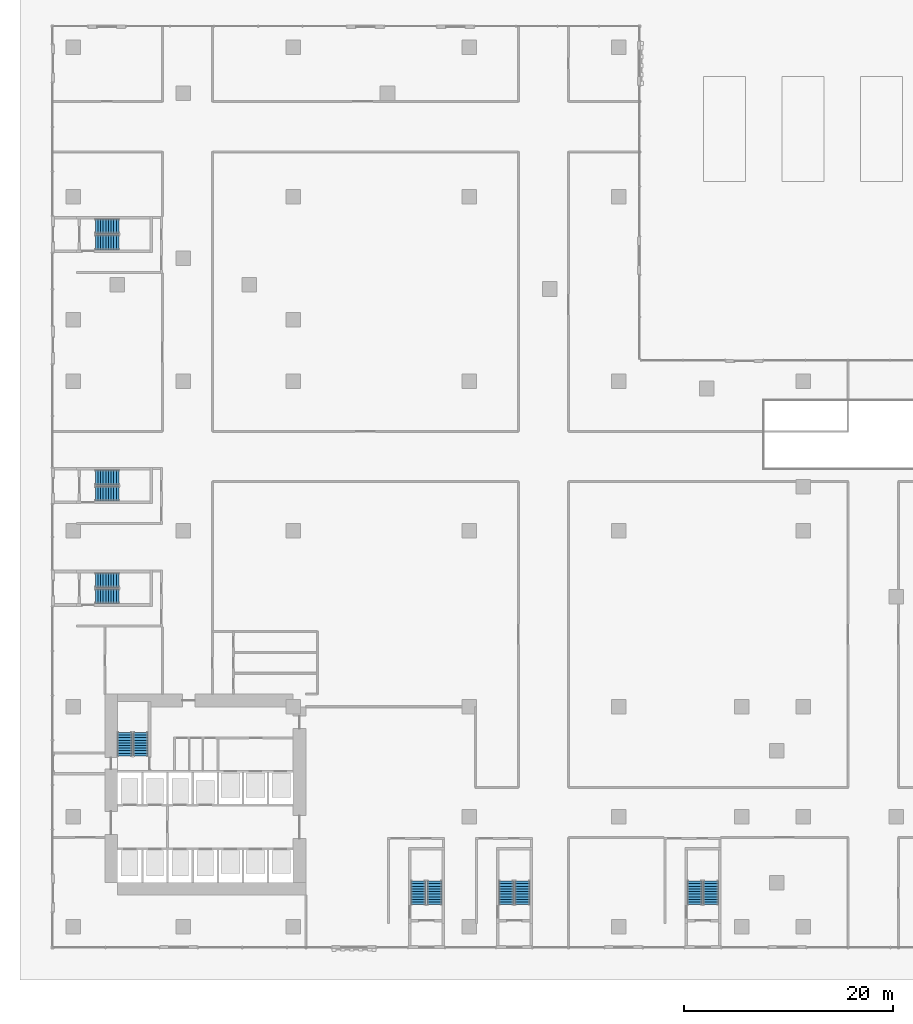
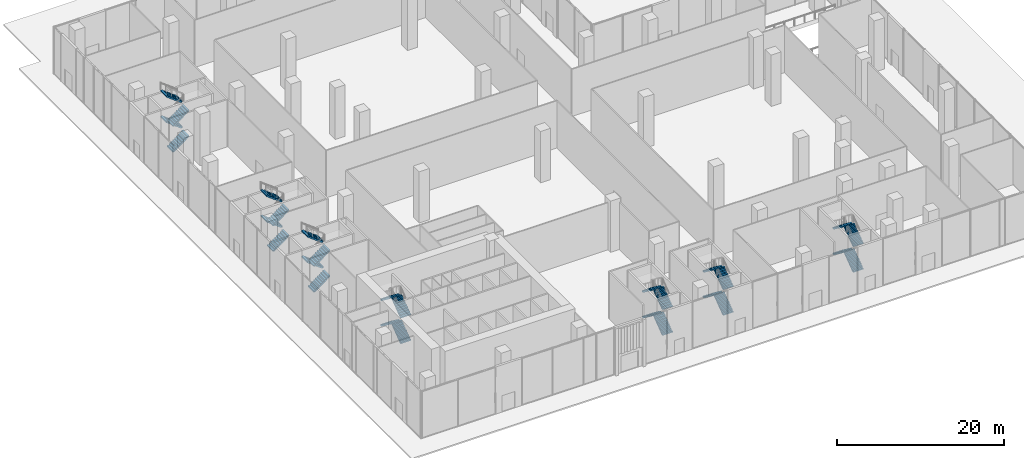
# One storey, part 19 of 26: 28 stair flights, 7 elements without a shape of their own.
"""IFC4 building model written with IfcOpenShell, lengths in metres."""

from ifc_helpers import new_model, si_unit, direction, frame, origin, place, context, subcontext, project, spatial, polyline, outline, extrude, source, transform, mapped, material, type_object, element, aggregate, save


model = new_model("IFC4")

# Units and contexts
model_context = context("Model", 3, precision=1e-05, world=origin(), true_north=direction((0.0, 1.0)))
body_context = subcontext(model_context, "Body", "Model", "MODEL_VIEW")
ifc_project = project(units=[si_unit("LENGTHUNIT", "METRE"), si_unit("AREAUNIT", "SQUARE_METRE"), si_unit("VOLUMEUNIT", "CUBIC_METRE"), si_unit("PLANEANGLEUNIT", "RADIAN"), si_unit("MASSUNIT", "GRAM", prefix="KILO")], contexts=[model_context])

# Site, building, storey
site_placement = place(None, origin())
site = spatial("IfcSite", under=ifc_project, at=site_placement, CompositionType="ELEMENT")
building_placement = place(site_placement, origin())
building = spatial("IfcBuilding", under=site, at=building_placement, Name="Aurelian Terraces", CompositionType="ELEMENT")
storey_placement = place(building_placement, origin())
storey = spatial("IfcBuildingStorey", under=building, at=storey_placement, Name="L00", CompositionType="ELEMENT", Elevation=0.0)

# Stair, stair flights
ifc_material = material(Name="Concrete fc' 40 MPa", Category="concrete")
stair_type = type_object("IfcStairType", Name="Stair 1400", PredefinedType="HALF_TURN_STAIR", material=ifc_material)
stair_1_placement = place(storey_placement, origin())
stair_1 = element("IfcStair", 1, at=stair_1_placement, inside=storey, type_object=stair_type, Name="L00 S1", PredefinedType="HALF_TURN_STAIR")
stair_flight_type = type_object("IfcStairFlightType", Name="Stair flight 1400", PredefinedType="STRAIGHT", material=ifc_material)
stair_flight_1_placement = place(storey_placement, frame((6.45, 16.3, 2e-08), z_axis=(0.0, 0.0, 1.0), x_axis=(0.0, 1.0, 0.0)))
stair_flight_1 = element("IfcStairFlight", 2, at=stair_flight_1_placement, type_object=stair_flight_type, Name="S1 flight 1", NumberOfRisers=10, NumberOfTreads=9, PredefinedType="STRAIGHT", RiserHeight=0.1875, TreadLength=0.25, context=body_context, shape_type="SweptSolid", body=[
    extrude(outline(polyline([(0.0, 0.0), (0.0, 0.1875), (0.25, 0.1875), (0.25, 0.375), (0.5, 0.375), (0.5, 0.5625), (0.75, 0.5625), (0.75, 0.75), (1.0, 0.75), (1.0, 0.9375), (1.25, 0.9375), (1.25, 1.125), (1.5, 1.125), (1.5, 1.3125), (1.75, 1.3125), (1.75, 1.5), (2.0, 1.5), (2.0, 1.6875), (2.25, 1.6875), (2.25, 1.875), (2.25, 1.5), (0.25, 0.0), (0.0, 0.0)])), frame((0.0, 0.7, 0.0), z_axis=(0.0, -1.0, 0.0), x_axis=(1.0, 0.0, 0.0)), (0.0, 0.0, 1.0), 1.4),
])
shared_shape = source(origin(), body_context, "Body", "SweptSolid", [
    extrude(outline(polyline([(0.0, 0.0), (0.0, 0.1875), (0.25, 0.1875), (0.25, 0.375), (0.5, 0.375), (0.5, 0.5625), (0.75, 0.5625), (0.75, 0.75), (1.0, 0.75), (1.0, 0.9375), (1.25, 0.9375), (1.25, 1.125), (1.5, 1.125), (1.5, 1.3125), (1.75, 1.3125), (1.75, 1.5), (2.0, 1.5), (2.0, 1.6875), (2.25, 1.6875), (2.25, 1.875), (2.25, 1.5), (0.25, 0.0), (0.0, 0.0)])), frame((0.0, 0.7, 0.0), z_axis=(0.0, -1.0, 0.0), x_axis=(1.0, 0.0, 0.0)), (0.0, 0.0, 1.0), 1.4),
])
stair_flight_2_placement = place(storey_placement, frame((4.9, 18.55, 1.87500002), z_axis=(0.0, 0.0, 1.0), x_axis=(0.0, -1.0, 0.0)))
stair_flight_2 = element("IfcStairFlight", 3, at=stair_flight_2_placement, type_object=stair_flight_type, Name="S1 flight 2", NumberOfRisers=10, NumberOfTreads=9, PredefinedType="STRAIGHT", RiserHeight=0.1875, TreadLength=0.25, context=body_context, shape_type="MappedRepresentation", body=[
    mapped(shared_shape, transform((0.0, 0.0, 0.0), scale=1.0)),
])
stair_flight_3_placement = place(storey_placement, frame((6.45, 16.3, 3.75000002), z_axis=(0.0, 0.0, 1.0), x_axis=(0.0, 1.0, 0.0)))
stair_flight_3 = element("IfcStairFlight", 4, at=stair_flight_3_placement, type_object=stair_flight_type, Name="S1 flight 3", NumberOfRisers=10, NumberOfTreads=9, PredefinedType="STRAIGHT", RiserHeight=0.1875, TreadLength=0.25, context=body_context, shape_type="MappedRepresentation", body=[
    mapped(shared_shape, transform((0.0, 0.0, 0.0), scale=1.0)),
])
stair_flight_4_placement = place(storey_placement, frame((4.9, 18.55, 5.62500002), z_axis=(0.0, 0.0, 1.0), x_axis=(0.0, -1.0, 0.0)))
stair_flight_4 = element("IfcStairFlight", 5, at=stair_flight_4_placement, type_object=stair_flight_type, Name="S1 flight 4", NumberOfRisers=10, NumberOfTreads=9, PredefinedType="STRAIGHT", RiserHeight=0.1875, TreadLength=0.25, context=body_context, shape_type="MappedRepresentation", body=[
    mapped(shared_shape, transform((0.0, 0.0, 0.0), scale=1.0)),
])
aggregate(stair_1, [stair_flight_1, stair_flight_2, stair_flight_3, stair_flight_4])

stair_2_placement = place(storey_placement, origin())
stair_2 = element("IfcStair", 6, at=stair_2_placement, inside=storey, type_object=stair_type, Name="L00 S2", PredefinedType="HALF_TURN_STAIR")
stair_flight_5_placement = place(storey_placement, frame((42.9, 2.1, 2e-08), z_axis=(0.0, 0.0, 1.0), x_axis=(0.0, 1.0, 0.0)))
stair_flight_5 = element("IfcStairFlight", 7, at=stair_flight_5_placement, type_object=stair_flight_type, Name="S2 flight 1", NumberOfRisers=10, NumberOfTreads=9, PredefinedType="STRAIGHT", RiserHeight=0.1875, TreadLength=0.25, context=body_context, shape_type="MappedRepresentation", body=[
    mapped(shared_shape, transform((0.0, 0.0, 0.0), scale=1.0)),
])
stair_flight_6_placement = place(storey_placement, frame((41.35, 4.35, 1.87500002), z_axis=(0.0, 0.0, 1.0), x_axis=(0.0, -1.0, 0.0)))
stair_flight_6 = element("IfcStairFlight", 8, at=stair_flight_6_placement, type_object=stair_flight_type, Name="S2 flight 2", NumberOfRisers=10, NumberOfTreads=9, PredefinedType="STRAIGHT", RiserHeight=0.1875, TreadLength=0.25, context=body_context, shape_type="MappedRepresentation", body=[
    mapped(shared_shape, transform((0.0, 0.0, 0.0), scale=1.0)),
])
stair_flight_7_placement = place(storey_placement, frame((42.9, 2.1, 3.75000002), z_axis=(0.0, 0.0, 1.0), x_axis=(0.0, 1.0, 0.0)))
stair_flight_7 = element("IfcStairFlight", 9, at=stair_flight_7_placement, type_object=stair_flight_type, Name="S2 flight 3", NumberOfRisers=10, NumberOfTreads=9, PredefinedType="STRAIGHT", RiserHeight=0.1875, TreadLength=0.25, context=body_context, shape_type="MappedRepresentation", body=[
    mapped(shared_shape, transform((0.0, 0.0, 0.0), scale=1.0)),
])
stair_flight_8_placement = place(storey_placement, frame((41.35, 4.35, 5.62500002), z_axis=(0.0, 0.0, 1.0), x_axis=(0.0, -1.0, 0.0)))
stair_flight_8 = element("IfcStairFlight", 10, at=stair_flight_8_placement, type_object=stair_flight_type, Name="S2 flight 4", NumberOfRisers=10, NumberOfTreads=9, PredefinedType="STRAIGHT", RiserHeight=0.1875, TreadLength=0.25, context=body_context, shape_type="MappedRepresentation", body=[
    mapped(shared_shape, transform((0.0, 0.0, 0.0), scale=1.0)),
])
aggregate(stair_2, [stair_flight_5, stair_flight_6, stair_flight_7, stair_flight_8])

stair_3_placement = place(storey_placement, origin())
stair_3 = element("IfcStair", 11, at=stair_3_placement, inside=storey, type_object=stair_type, Name="L00 S3", PredefinedType="HALF_TURN_STAIR")
stair_flight_9_placement = place(storey_placement, frame((2.1, 41.35, 2e-08), z_axis=(0.0, 0.0, 1.0), x_axis=(1.0, 0.0, 0.0)))
stair_flight_9 = element("IfcStairFlight", 12, at=stair_flight_9_placement, type_object=stair_flight_type, Name="S3 flight 1", NumberOfRisers=10, NumberOfTreads=9, PredefinedType="STRAIGHT", RiserHeight=0.1875, TreadLength=0.25, context=body_context, shape_type="MappedRepresentation", body=[
    mapped(shared_shape, transform((0.0, 0.0, 0.0), scale=1.0)),
])
stair_flight_10_placement = place(storey_placement, frame((4.35, 42.9, 1.87500002), z_axis=(0.0, 0.0, 1.0), x_axis=(-1.0, 0.0, 0.0)))
stair_flight_10 = element("IfcStairFlight", 13, at=stair_flight_10_placement, type_object=stair_flight_type, Name="S3 flight 2", NumberOfRisers=10, NumberOfTreads=9, PredefinedType="STRAIGHT", RiserHeight=0.1875, TreadLength=0.25, context=body_context, shape_type="MappedRepresentation", body=[
    mapped(shared_shape, transform((0.0, 0.0, 0.0), scale=1.0)),
])
stair_flight_11_placement = place(storey_placement, frame((2.1, 41.35, 3.75000002), z_axis=(0.0, 0.0, 1.0), x_axis=(1.0, 0.0, 0.0)))
stair_flight_11 = element("IfcStairFlight", 14, at=stair_flight_11_placement, type_object=stair_flight_type, Name="S3 flight 3", NumberOfRisers=10, NumberOfTreads=9, PredefinedType="STRAIGHT", RiserHeight=0.1875, TreadLength=0.25, context=body_context, shape_type="MappedRepresentation", body=[
    mapped(shared_shape, transform((0.0, 0.0, 0.0), scale=1.0)),
])
stair_flight_12_placement = place(storey_placement, frame((4.35, 42.9, 5.62500002), z_axis=(0.0, 0.0, 1.0), x_axis=(-1.0, 0.0, 0.0)))
stair_flight_12 = element("IfcStairFlight", 15, at=stair_flight_12_placement, type_object=stair_flight_type, Name="S3 flight 4", NumberOfRisers=10, NumberOfTreads=9, PredefinedType="STRAIGHT", RiserHeight=0.1875, TreadLength=0.25, context=body_context, shape_type="MappedRepresentation", body=[
    mapped(shared_shape, transform((0.0, 0.0, 0.0), scale=1.0)),
])
aggregate(stair_3, [stair_flight_9, stair_flight_10, stair_flight_11, stair_flight_12])

stair_4_placement = place(storey_placement, origin())
stair_4 = element("IfcStair", 16, at=stair_4_placement, inside=storey, type_object=stair_type, Name="L00 S4", PredefinedType="HALF_TURN_STAIR")
stair_flight_13_placement = place(storey_placement, frame((2.1, 31.55, 2e-08), z_axis=(0.0, 0.0, 1.0), x_axis=(1.0, 0.0, 0.0)))
stair_flight_13 = element("IfcStairFlight", 17, at=stair_flight_13_placement, type_object=stair_flight_type, Name="S4 flight 1", NumberOfRisers=10, NumberOfTreads=9, PredefinedType="STRAIGHT", RiserHeight=0.1875, TreadLength=0.25, context=body_context, shape_type="MappedRepresentation", body=[
    mapped(shared_shape, transform((0.0, 0.0, 0.0), scale=1.0)),
])
stair_flight_14_placement = place(storey_placement, frame((4.35, 33.1, 1.87500002), z_axis=(0.0, 0.0, 1.0), x_axis=(-1.0, 0.0, 0.0)))
stair_flight_14 = element("IfcStairFlight", 18, at=stair_flight_14_placement, type_object=stair_flight_type, Name="S4 flight 2", NumberOfRisers=10, NumberOfTreads=9, PredefinedType="STRAIGHT", RiserHeight=0.1875, TreadLength=0.25, context=body_context, shape_type="MappedRepresentation", body=[
    mapped(shared_shape, transform((0.0, 0.0, 0.0), scale=1.0)),
])
stair_flight_15_placement = place(storey_placement, frame((2.1, 31.55, 3.75000002), z_axis=(0.0, 0.0, 1.0), x_axis=(1.0, 0.0, 0.0)))
stair_flight_15 = element("IfcStairFlight", 19, at=stair_flight_15_placement, type_object=stair_flight_type, Name="S4 flight 3", NumberOfRisers=10, NumberOfTreads=9, PredefinedType="STRAIGHT", RiserHeight=0.1875, TreadLength=0.25, context=body_context, shape_type="MappedRepresentation", body=[
    mapped(shared_shape, transform((0.0, 0.0, 0.0), scale=1.0)),
])
stair_flight_16_placement = place(storey_placement, frame((4.35, 33.1, 5.62500002), z_axis=(0.0, 0.0, 1.0), x_axis=(-1.0, 0.0, 0.0)))
stair_flight_16 = element("IfcStairFlight", 20, at=stair_flight_16_placement, type_object=stair_flight_type, Name="S4 flight 4", NumberOfRisers=10, NumberOfTreads=9, PredefinedType="STRAIGHT", RiserHeight=0.1875, TreadLength=0.25, context=body_context, shape_type="MappedRepresentation", body=[
    mapped(shared_shape, transform((0.0, 0.0, 0.0), scale=1.0)),
])
aggregate(stair_4, [stair_flight_13, stair_flight_14, stair_flight_15, stair_flight_16])

stair_5_placement = place(storey_placement, origin())
stair_5 = element("IfcStair", 21, at=stair_5_placement, inside=storey, type_object=stair_type, Name="L00 S5", PredefinedType="HALF_TURN_STAIR")
stair_flight_17_placement = place(storey_placement, frame((2.1, 65.35, 2e-08), z_axis=(0.0, 0.0, 1.0), x_axis=(1.0, 0.0, 0.0)))
stair_flight_17 = element("IfcStairFlight", 22, at=stair_flight_17_placement, type_object=stair_flight_type, Name="S5 flight 1", NumberOfRisers=10, NumberOfTreads=9, PredefinedType="STRAIGHT", RiserHeight=0.1875, TreadLength=0.25, context=body_context, shape_type="MappedRepresentation", body=[
    mapped(shared_shape, transform((0.0, 0.0, 0.0), scale=1.0)),
])
stair_flight_18_placement = place(storey_placement, frame((4.35, 66.9, 1.87500002), z_axis=(0.0, 0.0, 1.0), x_axis=(-1.0, 0.0, 0.0)))
stair_flight_18 = element("IfcStairFlight", 23, at=stair_flight_18_placement, type_object=stair_flight_type, Name="S5 flight 2", NumberOfRisers=10, NumberOfTreads=9, PredefinedType="STRAIGHT", RiserHeight=0.1875, TreadLength=0.25, context=body_context, shape_type="MappedRepresentation", body=[
    mapped(shared_shape, transform((0.0, 0.0, 0.0), scale=1.0)),
])
stair_flight_19_placement = place(storey_placement, frame((2.1, 65.35, 3.75000002), z_axis=(0.0, 0.0, 1.0), x_axis=(1.0, 0.0, 0.0)))
stair_flight_19 = element("IfcStairFlight", 24, at=stair_flight_19_placement, type_object=stair_flight_type, Name="S5 flight 3", NumberOfRisers=10, NumberOfTreads=9, PredefinedType="STRAIGHT", RiserHeight=0.1875, TreadLength=0.25, context=body_context, shape_type="MappedRepresentation", body=[
    mapped(shared_shape, transform((0.0, 0.0, 0.0), scale=1.0)),
])
stair_flight_20_placement = place(storey_placement, frame((4.35, 66.9, 5.62500002), z_axis=(0.0, 0.0, 1.0), x_axis=(-1.0, 0.0, 0.0)))
stair_flight_20 = element("IfcStairFlight", 25, at=stair_flight_20_placement, type_object=stair_flight_type, Name="S5 flight 4", NumberOfRisers=10, NumberOfTreads=9, PredefinedType="STRAIGHT", RiserHeight=0.1875, TreadLength=0.25, context=body_context, shape_type="MappedRepresentation", body=[
    mapped(shared_shape, transform((0.0, 0.0, 0.0), scale=1.0)),
])
aggregate(stair_5, [stair_flight_17, stair_flight_18, stair_flight_19, stair_flight_20])

stair_6_placement = place(storey_placement, origin())
stair_6 = element("IfcStair", 26, at=stair_6_placement, inside=storey, type_object=stair_type, Name="L00 S6", PredefinedType="HALF_TURN_STAIR")
stair_flight_21_placement = place(storey_placement, frame((60.9, 2.1, 2e-08), z_axis=(0.0, 0.0, 1.0), x_axis=(0.0, 1.0, 0.0)))
stair_flight_21 = element("IfcStairFlight", 27, at=stair_flight_21_placement, type_object=stair_flight_type, Name="S6 flight 1", NumberOfRisers=10, NumberOfTreads=9, PredefinedType="STRAIGHT", RiserHeight=0.1875, TreadLength=0.25, context=body_context, shape_type="MappedRepresentation", body=[
    mapped(shared_shape, transform((0.0, 0.0, 0.0), scale=1.0)),
])
stair_flight_22_placement = place(storey_placement, frame((59.35, 4.35, 1.87500002), z_axis=(0.0, 0.0, 1.0), x_axis=(0.0, -1.0, 0.0)))
stair_flight_22 = element("IfcStairFlight", 28, at=stair_flight_22_placement, type_object=stair_flight_type, Name="S6 flight 2", NumberOfRisers=10, NumberOfTreads=9, PredefinedType="STRAIGHT", RiserHeight=0.1875, TreadLength=0.25, context=body_context, shape_type="MappedRepresentation", body=[
    mapped(shared_shape, transform((0.0, 0.0, 0.0), scale=1.0)),
])
stair_flight_23_placement = place(storey_placement, frame((60.9, 2.1, 3.75000002), z_axis=(0.0, 0.0, 1.0), x_axis=(0.0, 1.0, 0.0)))
stair_flight_23 = element("IfcStairFlight", 29, at=stair_flight_23_placement, type_object=stair_flight_type, Name="S6 flight 3", NumberOfRisers=10, NumberOfTreads=9, PredefinedType="STRAIGHT", RiserHeight=0.1875, TreadLength=0.25, context=body_context, shape_type="MappedRepresentation", body=[
    mapped(shared_shape, transform((0.0, 0.0, 0.0), scale=1.0)),
])
stair_flight_24_placement = place(storey_placement, frame((59.35, 4.35, 5.62500002), z_axis=(0.0, 0.0, 1.0), x_axis=(0.0, -1.0, 0.0)))
stair_flight_24 = element("IfcStairFlight", 30, at=stair_flight_24_placement, type_object=stair_flight_type, Name="S6 flight 4", NumberOfRisers=10, NumberOfTreads=9, PredefinedType="STRAIGHT", RiserHeight=0.1875, TreadLength=0.25, context=body_context, shape_type="MappedRepresentation", body=[
    mapped(shared_shape, transform((0.0, 0.0, 0.0), scale=1.0)),
])
aggregate(stair_6, [stair_flight_21, stair_flight_22, stair_flight_23, stair_flight_24])

stair_7_placement = place(storey_placement, origin())
stair_7 = element("IfcStair", 31, at=stair_7_placement, inside=storey, type_object=stair_type, Name="L00 S7", PredefinedType="HALF_TURN_STAIR")
stair_flight_25_placement = place(storey_placement, frame((34.5, 2.1, 2e-08), z_axis=(0.0, 0.0, 1.0), x_axis=(0.0, 1.0, 0.0)))
stair_flight_25 = element("IfcStairFlight", 32, at=stair_flight_25_placement, type_object=stair_flight_type, Name="S7 flight 1", NumberOfRisers=10, NumberOfTreads=9, PredefinedType="STRAIGHT", RiserHeight=0.1875, TreadLength=0.25, context=body_context, shape_type="MappedRepresentation", body=[
    mapped(shared_shape, transform((0.0, 0.0, 0.0), scale=1.0)),
])
stair_flight_26_placement = place(storey_placement, frame((32.95, 4.35, 1.87500002), z_axis=(0.0, 0.0, 1.0), x_axis=(0.0, -1.0, 0.0)))
stair_flight_26 = element("IfcStairFlight", 33, at=stair_flight_26_placement, type_object=stair_flight_type, Name="S7 flight 2", NumberOfRisers=10, NumberOfTreads=9, PredefinedType="STRAIGHT", RiserHeight=0.1875, TreadLength=0.25, context=body_context, shape_type="MappedRepresentation", body=[
    mapped(shared_shape, transform((0.0, 0.0, 0.0), scale=1.0)),
])
stair_flight_27_placement = place(storey_placement, frame((34.5, 2.1, 3.75000002), z_axis=(0.0, 0.0, 1.0), x_axis=(0.0, 1.0, 0.0)))
stair_flight_27 = element("IfcStairFlight", 34, at=stair_flight_27_placement, type_object=stair_flight_type, Name="S7 flight 3", NumberOfRisers=10, NumberOfTreads=9, PredefinedType="STRAIGHT", RiserHeight=0.1875, TreadLength=0.25, context=body_context, shape_type="MappedRepresentation", body=[
    mapped(shared_shape, transform((0.0, 0.0, 0.0), scale=1.0)),
])
stair_flight_28_placement = place(storey_placement, frame((32.95, 4.35, 5.62500002), z_axis=(0.0, 0.0, 1.0), x_axis=(0.0, -1.0, 0.0)))
stair_flight_28 = element("IfcStairFlight", 35, at=stair_flight_28_placement, type_object=stair_flight_type, Name="S7 flight 4", NumberOfRisers=10, NumberOfTreads=9, PredefinedType="STRAIGHT", RiserHeight=0.1875, TreadLength=0.25, context=body_context, shape_type="MappedRepresentation", body=[
    mapped(shared_shape, transform((0.0, 0.0, 0.0), scale=1.0)),
])
aggregate(stair_7, [stair_flight_25, stair_flight_26, stair_flight_27, stair_flight_28])

save(model, "model.ifc")
